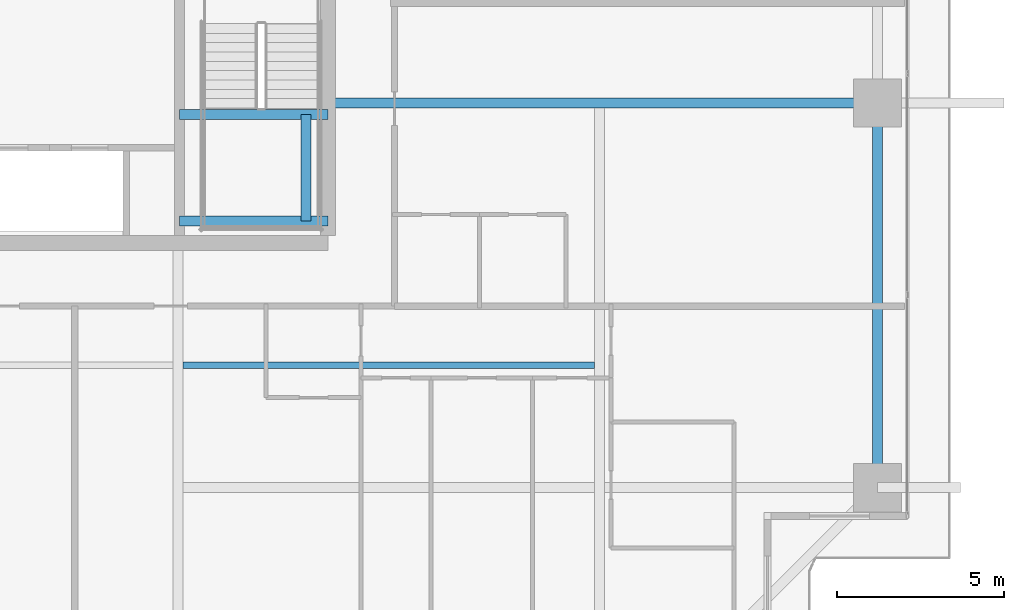
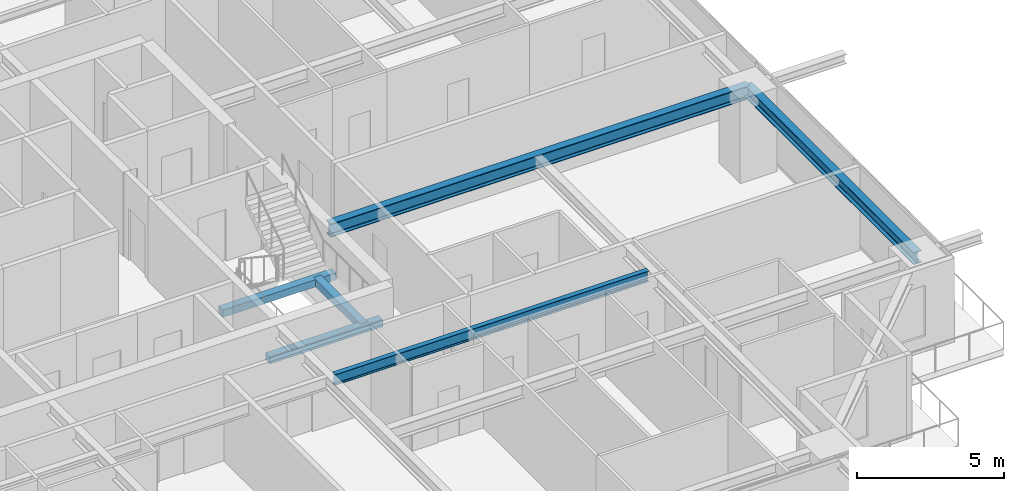
# One storey, part 13 of 39: 6 beams.
"""IFC4 building model written with IfcOpenShell, lengths in metres."""

import ifcopenshell
import ifcopenshell.guid

model = None  # the IFC model being written
_history = None  # IfcOwnerHistory: only IFC2X3 demands one
_inside = {}  # id of a spatial element -> (the spatial element, [elements in it])
_under = {}  # id of a project, library or spatial element -> (it, [spatial elements below it])
_declared = {}  # id of a project -> (the project, [libraries it declares])
_typed = {}  # id of a type object -> (the type object, [elements of that type])
_made_of = {}  # id of a material, layer set ... -> (it, [elements and type objects made of it])


def new_model(schema):
    """Start an empty IFC model of exactly this schema.

    Asked for "IFC4X3", IfcOpenShell would pick the latest addendum, in which some entities
    have other attributes; the version numbers below select the first issue.
    IFC2X3 requires an IfcOwnerHistory on every rooted entity: one is made here for all.
    """
    global model, _history
    if schema == "IFC4X3":
        model = ifcopenshell.file(schema_version=(4, 3, 0, 0))
    else:
        model = ifcopenshell.file(schema=schema)
    _inside.clear()
    _under.clear()
    _declared.clear()
    _typed.clear()
    _made_of.clear()
    _history = None
    if model.schema == "IFC2X3":
        org = make("IfcOrganization", Name="unknown")
        user = make(
            "IfcPersonAndOrganization",
            ThePerson=make("IfcPerson", FamilyName="unknown"),
            TheOrganization=org,
        )
        app = make(
            "IfcApplication",
            ApplicationDeveloper=org,
            Version="unknown",
            ApplicationFullName="unknown",
            ApplicationIdentifier="unknown",
        )
        _history = make(
            "IfcOwnerHistory",
            OwningUser=user,
            OwningApplication=app,
            ChangeAction="ADDED",
            CreationDate=0,
        )
    return model


def make(cls, **values):
    """One entity of the class cls with the attributes given. An attribute that is None is left unset."""
    return model.create_entity(
        cls, **{name: value for name, value in values.items() if value is not None}
    )


def rooted(cls, **values):
    """An entity with a GlobalId (a new one), such as an element, a storey or a relation."""
    return make(cls, GlobalId=ifcopenshell.guid.new(), OwnerHistory=_history, **values)


def si_unit(unit_type, name, prefix=None):
    """IfcSIUnit, for example si_unit("LENGTHUNIT", "METRE", prefix="MILLI")."""
    return make("IfcSIUnit", UnitType=unit_type, Prefix=prefix, Name=name)


def assignment(units):
    """IfcUnitAssignment: the units of a project."""
    return None if units is None else make("IfcUnitAssignment", Units=units)


def point(xyz):
    """IfcCartesianPoint."""
    return None if xyz is None else make("IfcCartesianPoint", Coordinates=xyz)


def direction(xyz):
    """IfcDirection."""
    return None if xyz is None else make("IfcDirection", DirectionRatios=xyz)


def frame(location, z_axis=None, x_axis=None):
    """IfcAxis2Placement3D, a coordinate frame: its origin and axes. An axis left out is left unset."""
    return make(
        "IfcAxis2Placement3D",
        Location=point(location),
        Axis=direction(z_axis),
        RefDirection=direction(x_axis),
    )


def frame_2d(location, x_axis=None):
    """IfcAxis2Placement2D, a coordinate frame in the plane: its origin and x axis."""
    return make(
        "IfcAxis2Placement2D", Location=point(location), RefDirection=direction(x_axis)
    )


def origin():
    """The frame at (0, 0, 0) with its axes left unset."""
    return frame((0.0, 0.0, 0.0))


def origin_2d():
    """The frame at (0, 0) in the plane with its x axis left unset."""
    return frame_2d((0.0, 0.0))


def place(relative_to, where):
    """IfcLocalPlacement: puts the frame where relative to a parent placement (None: the world)."""
    return make(
        "IfcLocalPlacement", PlacementRelTo=relative_to, RelativePlacement=where
    )


def context(
    kind, dimensions, precision=None, world=None, true_north=None, identifier=None
):
    """IfcGeometricRepresentationContext, for example the 3D "Model" context."""
    return make(
        "IfcGeometricRepresentationContext",
        ContextIdentifier=identifier,
        ContextType=kind,
        CoordinateSpaceDimension=dimensions,
        Precision=precision,
        WorldCoordinateSystem=world,
        TrueNorth=true_north,
    )


def subcontext(parent, identifier, kind, view, scale=None):
    """IfcGeometricRepresentationSubContext, for example "Body" below "Model"."""
    return make(
        "IfcGeometricRepresentationSubContext",
        ContextIdentifier=identifier,
        ContextType=kind,
        ParentContext=parent,
        TargetScale=scale,
        TargetView=view,
    )


def project(units=None, contexts=None):
    """IfcProject with its units and contexts."""
    return rooted(
        "IfcProject",
        Name="project",
        RepresentationContexts=contexts,
        UnitsInContext=assignment(units),
    )


def spatial(cls, under=None, at=None, **own):
    """A site, building, storey or space (cls), placed at a placement, below another one or the project."""
    s = rooted(cls, ObjectPlacement=at, **own)
    if under is not None:
        _under.setdefault(under.id(), (under, []))[1].append(s)
    return s


def profile(cls, at=None, kind="AREA", **sizes):
    """A parametric profile (cls). Its sizes go by their IFC names, for example OverallWidth=200.0."""
    return make(cls, ProfileType=kind, Position=at, **sizes)


def rectangle(**sizes):
    """IfcRectangleProfileDef."""
    return profile("IfcRectangleProfileDef", **sizes)


def i_section(**sizes):
    """IfcIShapeProfileDef."""
    return profile("IfcIShapeProfileDef", **sizes)


def extrude(swept, where, along, depth):
    """IfcExtrudedAreaSolid: the profile swept, set in the frame where, extruded along a direction by depth."""
    return make(
        "IfcExtrudedAreaSolid",
        SweptArea=swept,
        Position=where,
        ExtrudedDirection=direction(along),
        Depth=depth,
    )


def shape(context_of_items, identifier, shape_type, items):
    """IfcShapeRepresentation: the items that make up one representation, for example the "Body"."""
    return make(
        "IfcShapeRepresentation",
        ContextOfItems=context_of_items,
        RepresentationIdentifier=identifier,
        RepresentationType=shape_type,
        Items=items,
    )


def source(mapping_origin, context_of_items, identifier, shape_type, items):
    """IfcRepresentationMap: a shape defined once, which mapped items show again and again."""
    return make(
        "IfcRepresentationMap",
        MappingOrigin=mapping_origin,
        MappedRepresentation=shape(context_of_items, identifier, shape_type, items),
    )


def transform(
    local_origin,
    x_axis=None,
    y_axis=None,
    z_axis=None,
    scale=None,
    scale2=None,
    scale3=None,
    uniform=True,
):
    """IfcCartesianTransformationOperator3D, or its non-uniform kind. x_axis, y_axis, z_axis: its Axis1, 2, 3."""
    if uniform:
        return make(
            "IfcCartesianTransformationOperator3D",
            Axis1=direction(x_axis),
            Axis2=direction(y_axis),
            LocalOrigin=point(local_origin),
            Scale=scale,
            Axis3=direction(z_axis),
        )
    return make(
        "IfcCartesianTransformationOperator3DnonUniform",
        Axis1=direction(x_axis),
        Axis2=direction(y_axis),
        LocalOrigin=point(local_origin),
        Scale=scale,
        Axis3=direction(z_axis),
        Scale2=scale2,
        Scale3=scale3,
    )


def mapped(mapping_source, mapping_target):
    """IfcMappedItem: shows the shape of a source again, moved by a transform."""
    return make(
        "IfcMappedItem", MappingSource=mapping_source, MappingTarget=mapping_target
    )


def material(Name=None, Category=None):
    """IfcMaterial."""
    return make("IfcMaterial", Name=Name, Category=Category)


def material_profile(
    of_material, cross_section, Name=None, Category=None, Priority=None
):
    """IfcMaterialProfile: a cross section and its material."""
    return make(
        "IfcMaterialProfile",
        Name=Name,
        Material=of_material,
        Profile=cross_section,
        Priority=Priority,
        Category=Category,
    )


def profile_set(profiles, Name=None, composite=None):
    """IfcMaterialProfileSet."""
    return make(
        "IfcMaterialProfileSet",
        Name=Name,
        MaterialProfiles=profiles,
        CompositeProfile=composite,
    )


def made_of(thing, what):
    """Note that an element or type object is made of a material, layer set ...; save() writes the relation."""
    if what is not None:
        _made_of.setdefault(what.id(), (what, []))[1].append(thing)
    return thing


def type_object(cls, material=None, **own):
    """A type object (cls), such as IfcWallType, which elements share."""
    return made_of(rooted(cls, **own), material)


def element(
    cls,
    number,
    at=None,
    inside=None,
    cuts=None,
    type_object=None,
    material=None,
    context=None,
    identifier="Body",
    shape_type=None,
    held_by="IfcProductDefinitionShape",
    body=None,
    shapes=None,
    **own,
):
    """One element of the class cls, such as IfcWall. Its Tag is "e" and its number.

    at: its placement. inside: the storey or other place that contains it. cuts: it is an
    opening in that element (IfcRelVoidsElement). A single representation is given by context,
    identifier, shape_type and body (its items); several are given by shapes. held_by: the class
    of the entity that holds the representations. save() writes the other relations.
    """
    e = rooted(cls, Tag="e%d" % number, ObjectPlacement=at, **own)
    if body is not None:
        shapes = [shape(context, identifier, shape_type, body)]
    if shapes is not None:
        e.Representation = make(held_by, Representations=shapes)
    if inside is not None:
        _inside.setdefault(inside.id(), (inside, []))[1].append(e)
    if cuts is not None:
        rooted(
            "IfcRelVoidsElement", RelatingBuildingElement=cuts, RelatedOpeningElement=e
        )
    if type_object is not None:
        _typed.setdefault(type_object.id(), (type_object, []))[1].append(e)
    return made_of(e, material)


def aggregate(whole, parts):
    """IfcRelAggregates: a whole, such as a stair, and the parts it consists of."""
    return rooted("IfcRelAggregates", RelatingObject=whole, RelatedObjects=parts)


def save(model, path):
    """Write the relations noted so far, then the file.

    IfcRelAggregates (storeys below a building ...), IfcRelContainedInSpatialStructure (elements
    in a storey), IfcRelDefinesByType, IfcRelAssociatesMaterial and IfcRelDeclares: one each for
    every whole, place, type object, material and project.
    """
    for whole, parts in _under.values():
        aggregate(whole, parts)
    for where, things in _inside.values():
        rooted(
            "IfcRelContainedInSpatialStructure",
            RelatedElements=things,
            RelatingStructure=where,
        )
    for kind, things in _typed.values():
        rooted("IfcRelDefinesByType", RelatedObjects=things, RelatingType=kind)
    for what, things in _made_of.values():
        rooted("IfcRelAssociatesMaterial", RelatedObjects=things, RelatingMaterial=what)
    for by, libraries in _declared.values():
        rooted("IfcRelDeclares", RelatingContext=by, RelatedDefinitions=libraries)
    model.write(path)


model = new_model("IFC4")

# Units and contexts
model_context = context("Model", 3, precision=1e-05, world=origin(), true_north=direction((0.0, 1.0)))
body_context = subcontext(model_context, "Body", "Model", "MODEL_VIEW")
ifc_project = project(units=[si_unit("LENGTHUNIT", "METRE"), si_unit("AREAUNIT", "SQUARE_METRE"), si_unit("VOLUMEUNIT", "CUBIC_METRE"), si_unit("PLANEANGLEUNIT", "RADIAN"), si_unit("MASSUNIT", "GRAM", prefix="KILO")], contexts=[model_context])

# Site, building, storey
site_placement = place(None, origin())
site = spatial("IfcSite", under=ifc_project, at=site_placement, CompositionType="ELEMENT")
building_placement = place(site_placement, origin())
building = spatial("IfcBuilding", under=site, at=building_placement, Name="Serunith Strait Residences", CompositionType="ELEMENT")
storey_placement = place(building_placement, frame((0.0, 0.0, 60.449951171875)))
storey = spatial("IfcBuildingStorey", under=building, at=storey_placement, Name="L14", CompositionType="ELEMENT", Elevation=60.449951171875)

# Beams
ifc_material_1 = material(Name="Steel S355J2", Category="steel")
ifc_material_profile_1 = material_profile(ifc_material_1, i_section(OverallWidth=0.300048828125, OverallDepth=0.550048828125, WebThickness=0.014892578125, FlangeThickness=0.029052734375, FilletRadius=0.027099609375, at=origin_2d()), Name="HEB 550")
ifc_profile_set_1 = profile_set([ifc_material_profile_1], Name="Steel S355J2")
beam_type_1 = type_object("IfcBeamType", Name="BM-HEB550", PredefinedType="BEAM", material=ifc_profile_set_1)
shared_shape_1 = source(origin(), body_context, "Body", "SweptSolid", [
    extrude(i_section(OverallWidth=0.300048828125, OverallDepth=0.550048828125, WebThickness=0.014892578125, FlangeThickness=0.029052734375, FilletRadius=0.027099609375, at=origin_2d()), origin(), (0.0, 0.0, 1.0), 16.5),
])
beam_1_placement = place(storey_placement, frame((41.39990234375, 21.0, 3.212158203125), z_axis=(1.0, 0.0, 0.0), x_axis=(0.0, 1.0, 0.0)))
element("IfcBeam", 1, at=beam_1_placement, inside=storey, type_object=beam_type_1, Name="L14 Primary Floor Girder TC-E2", PredefinedType="BEAM", context=body_context, shape_type="MappedRepresentation", body=[
    mapped(shared_shape_1, transform((0.0, 0.0, 0.0), scale=1.0)),
])
ifc_material_profile_2 = material_profile(ifc_material_1, i_section(OverallWidth=0.300048828125, OverallDepth=0.5, WebThickness=0.014404296875, FlangeThickness=0.028076171875, FilletRadius=0.027099609375, at=origin_2d()), Name="HEB 500")
ifc_profile_set_2 = profile_set([ifc_material_profile_2], Name="Steel S355J2")
beam_type_2 = type_object("IfcBeamType", Name="BM-HEB500", PredefinedType="BEAM", material=ifc_profile_set_2)
shared_shape_2 = source(origin(), body_context, "Body", "SweptSolid", [
    extrude(i_section(OverallWidth=0.300048828125, OverallDepth=0.5, WebThickness=0.014404296875, FlangeThickness=0.028076171875, FilletRadius=0.027099609375, at=origin_2d()), origin(), (0.0, 0.0, 1.0), 11.550048828125),
])
beam_2_placement = place(storey_placement, frame((57.89990234375, 9.449951171875, 3.237060546875), z_axis=(0.0, 1.0, 0.0), x_axis=(-1.0, 0.0, 0.0)))
element("IfcBeam", 2, at=beam_2_placement, inside=storey, type_object=beam_type_2, Name="L14 Perimeter Ring Beam 05", PredefinedType="BEAM", context=body_context, shape_type="MappedRepresentation", body=[
    mapped(shared_shape_2, transform((0.0, 0.0, 0.0), scale=1.0)),
])
ifc_material_profile_3 = material_profile(ifc_material_1, i_section(OverallWidth=0.18994140625, OverallDepth=0.449951171875, WebThickness=0.009521484375, FlangeThickness=0.0146484375, FilletRadius=0.02099609375, at=origin_2d()), Name="IPE 450")
ifc_profile_set_3 = profile_set([ifc_material_profile_3], Name="Steel S355J2")
beam_type_3 = type_object("IfcBeamType", Name="BM-IPE450", PredefinedType="JOIST", material=ifc_profile_set_3)
shared_shape_3 = source(origin(), body_context, "Body", "SweptSolid", [
    extrude(i_section(OverallWidth=0.18994140625, OverallDepth=0.449951171875, WebThickness=0.009521484375, FlangeThickness=0.0146484375, FilletRadius=0.02099609375, at=origin_2d()), origin(), (0.0, 0.0, 1.0), 12.349853515625),
])
beam_3_placement = place(storey_placement, frame((37.050048828125, 13.125, 3.261962890625), z_axis=(1.0, 0.0, 0.0), x_axis=(0.0, 1.0, 0.0)))
element("IfcBeam", 3, at=beam_3_placement, inside=storey, type_object=beam_type_3, Name="L14 Composite Floor Joist 03", PredefinedType="JOIST", context=body_context, shape_type="MappedRepresentation", body=[
    mapped(shared_shape_3, transform((0.0, 0.0, 0.0), scale=1.0)),
])
ifc_material_2 = material(Name="Concrete C60/75", Category="concrete")
ifc_material_profile_4 = material_profile(ifc_material_2, rectangle(XDim=0.300048828125, YDim=0.300048828125, at=origin_2d()), Name="RC 300x300")
ifc_profile_set_4 = profile_set([ifc_material_profile_4], Name="Concrete C60/75")
beam_type_4 = type_object("IfcBeamType", Name="BM-LAND-300x300", PredefinedType="BEAM", material=ifc_profile_set_4)
shared_shape_4 = source(origin(), body_context, "Body", "SweptSolid", [
    extrude(rectangle(XDim=0.300048828125, YDim=0.300048828125, at=origin_2d()), origin(), (0.0, 0.0, 1.0), 3.199951171875),
])
beam_4_placement = place(storey_placement, frame((40.75, 17.449951171875, 1.525146484375), z_axis=(0.0, 1.0, 0.0), x_axis=(-1.0, 0.0, 0.0)))
element("IfcBeam", 4, at=beam_4_placement, inside=storey, type_object=beam_type_4, Name="L14 ST-2 Landing Transverse Tie Beam", PredefinedType="BEAM", context=body_context, shape_type="MappedRepresentation", body=[
    mapped(shared_shape_4, transform((0.0, 0.0, 0.0), scale=1.0)),
])
shared_shape_5 = source(origin(), body_context, "Body", "SweptSolid", [
    extrude(rectangle(XDim=0.300048828125, YDim=0.300048828125, at=origin_2d()), origin(), (0.0, 0.0, 1.0), 4.449951171875),
])
for number, where, z_axis, x_axis, name in (
    (5, (36.949951171875, 17.449951171875, 1.525146484375), (1.0, 0.0, 0.0), (0.0, 1.0, 0.0), "L14 ST-2 Landing Support Beam 1"),
    (6, (36.949951171875, 20.64990234375, 1.525146484375), (1.0, 0.0, 0.0), (0.0, 1.0, 0.0), "L14 ST-2 Landing Support Beam 2"),
):
    element("IfcBeam", number, at=place(storey_placement, frame(where, z_axis=z_axis, x_axis=x_axis)), inside=storey, type_object=beam_type_4, Name=name, PredefinedType="BEAM", context=body_context, shape_type="MappedRepresentation", body=[
        mapped(shared_shape_5, transform((0.0, 0.0, 0.0), scale=1.0)),
    ])

save(model, "model.ifc")
